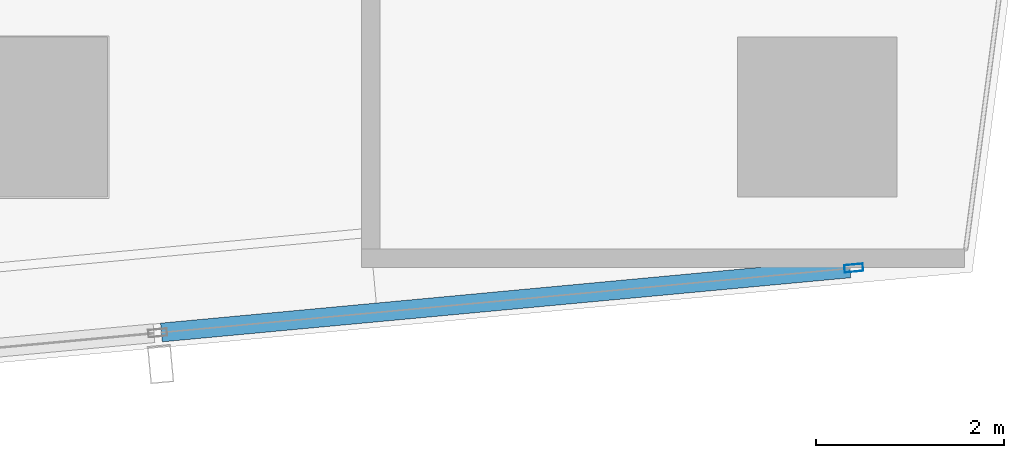
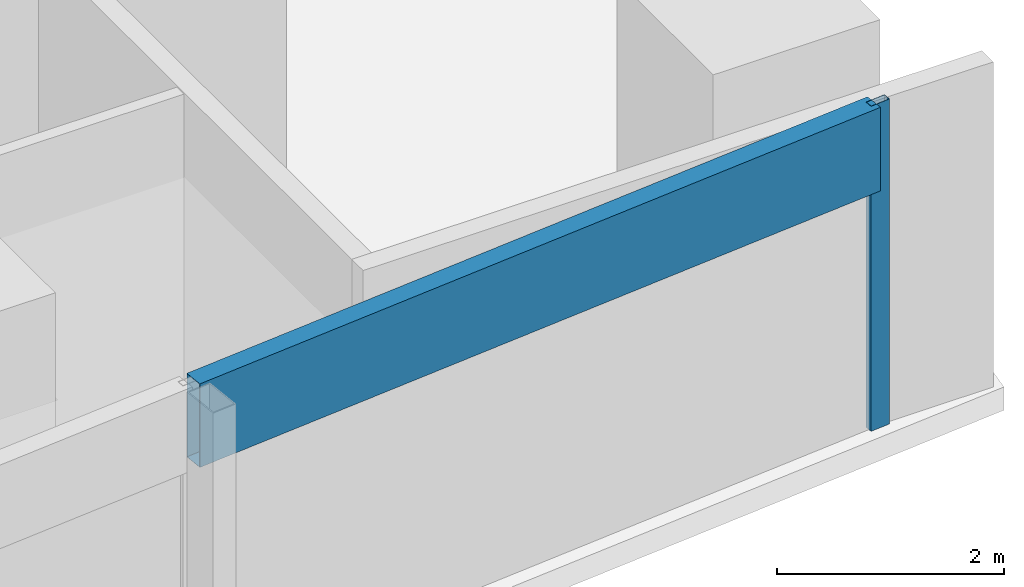
# One storey, part 12 of 34: 2 members, 1 element without a shape of its own.
"""IFC4 building model written with IfcOpenShell, lengths in metres."""

from ifc_helpers import new_model, si_unit, direction, frame, origin, origin_2d, place, context, subcontext, project, spatial, hollow_rectangle, extrude, material, material_profile, profile_set, type_object, element, aggregate, save


model = new_model("IFC4")

# Units and contexts
model_context = context("Model", 3, precision=1e-05, world=origin(), true_north=direction((0.0, 1.0)))
body_context = subcontext(model_context, "Body", "Model", "MODEL_VIEW")
ifc_project = project(units=[si_unit("LENGTHUNIT", "METRE"), si_unit("AREAUNIT", "SQUARE_METRE"), si_unit("VOLUMEUNIT", "CUBIC_METRE"), si_unit("PLANEANGLEUNIT", "RADIAN"), si_unit("MASSUNIT", "GRAM", prefix="KILO")], contexts=[model_context])

# Site, building, storey
site_placement = place(None, origin())
site = spatial("IfcSite", under=ifc_project, at=site_placement, CompositionType="ELEMENT")
building_placement = place(site_placement, origin())
building = spatial("IfcBuilding", under=site, at=building_placement, Name="Rekha Terrace Tower", CompositionType="ELEMENT")
storey_placement = place(building_placement, frame((0.0, 0.0, 176.449951171875)))
storey = spatial("IfcBuildingStorey", under=building, at=storey_placement, Name="L44", CompositionType="ELEMENT", Elevation=176.449951171875)

# Curtain wall, members
ifc_material_1 = material(Name="Aluminium framing", Category="aluminium")
curtain_wall_type = type_object("IfcCurtainWallType", Name="CW2 double skin outer glazing", PredefinedType="USERDEFINED", material=ifc_material_1)
curtain_wall_placement = place(storey_placement, origin())
curtain_wall = element("IfcCurtainWall", 1, at=curtain_wall_placement, inside=storey, type_object=curtain_wall_type, Name="CW2 double skin outer glazing", ObjectType="DOUBLE SKIN OUTER GLAZING", PredefinedType="USERDEFINED")
ifc_material_2 = material(Name="Aluminium mullion section", Category="aluminium")
ifc_material_profile_1 = material_profile(ifc_material_2, hollow_rectangle(XDim=0.080078125, YDim=0.199951171875, WallThickness=0.00390625, at=origin_2d()), Name="AL RHS 80x200")
ifc_profile_set_1 = profile_set([ifc_material_profile_1], Name="Aluminium mullion section")
member_type_1 = type_object("IfcMemberType", Name="CW2 mullion RHS 80 x 200", PredefinedType="MULLION", material=ifc_profile_set_1)
member_1_placement = place(storey_placement, frame((59.189208984375, 15.193359375, 0.0), z_axis=(0.0, 0.0, 1.0), x_axis=(-0.092708869512, 0.995693258747, 0.0)))
member_1 = element("IfcMember", 2, at=member_1_placement, type_object=member_type_1, Name="CW2 mullion 3", PredefinedType="MULLION", context=body_context, shape_type="SweptSolid", body=[
    extrude(hollow_rectangle(XDim=0.080078125, YDim=0.199951171875, WallThickness=0.00390625, at=origin_2d()), origin(), (0.0, 0.0, 1.0), 3.5),
])
ifc_material_3 = material(Name="Insulated aluminium spandrel box", Category="aluminium")
ifc_material_profile_2 = material_profile(ifc_material_3, hollow_rectangle(XDim=0.199951171875, YDim=0.89990234375, WallThickness=0.0029296875, at=origin_2d()), Name="AL SPANDREL BOX 200x900")
ifc_profile_set_2 = profile_set([ifc_material_profile_2], Name="Insulated aluminium spandrel box")
member_type_2 = type_object("IfcMemberType", Name="CW2 spandrel transom 200 x 900", PredefinedType="USERDEFINED", material=ifc_profile_set_2)
member_2_placement = place(storey_placement, frame((51.822265625, 14.50732421875, 3.050048828125), z_axis=(0.995691176835, 0.092731226525, 0.0), x_axis=(-0.092731226525, 0.995691176835, 0.0)))
member_2 = element("IfcMember", 3, at=member_2_placement, type_object=member_type_2, Name="CW2 spandrel transom 2", ObjectType="TRANSOM", PredefinedType="USERDEFINED", context=body_context, shape_type="SweptSolid", body=[
    extrude(hollow_rectangle(XDim=0.199951171875, YDim=0.89990234375, WallThickness=0.0029296875, at=origin_2d()), origin(), (0.0, 0.0, 1.0), 7.358642578125),
])
aggregate(curtain_wall, [member_1, member_2])

save(model, "model.ifc")
